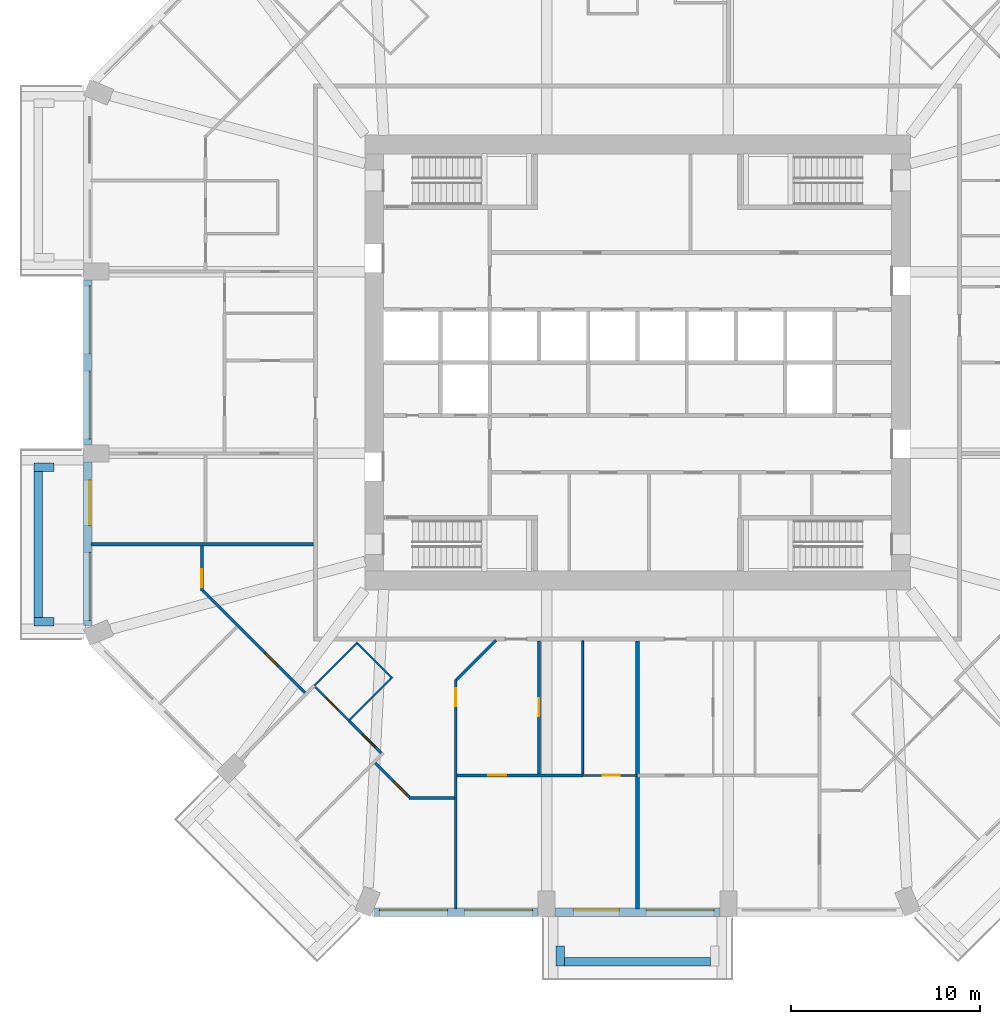
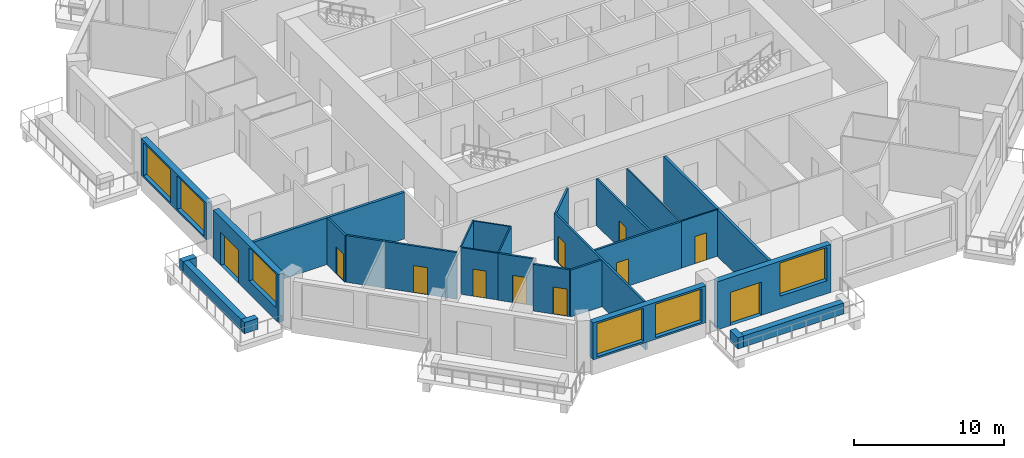
# One storey, part 3 of 13: 26 walls, 11 doors, 6 windows, 17 openings.
"""IFC4 building model written with IfcOpenShell, lengths in metres."""

from ifc_helpers import new_model, si_unit, direction, frame, frame_2d, origin, place, context, subcontext, project, spatial, rectangle, extrude, material, layer, layer_set, type_object, element, fill, save


model = new_model("IFC4")

# Units and contexts
model_context = context("Model", 3, precision=1e-05, world=origin(), true_north=direction((0.0, 1.0)))
body_context = subcontext(model_context, "Body", "Model", "MODEL_VIEW")
ifc_project = project(units=[si_unit("LENGTHUNIT", "METRE"), si_unit("AREAUNIT", "SQUARE_METRE"), si_unit("VOLUMEUNIT", "CUBIC_METRE"), si_unit("PLANEANGLEUNIT", "RADIAN"), si_unit("MASSUNIT", "GRAM", prefix="KILO")], contexts=[model_context])

# Site, building, storey
site_placement = place(None, origin())
site = spatial("IfcSite", under=ifc_project, at=site_placement, CompositionType="ELEMENT")
building_placement = place(site_placement, origin())
building = spatial("IfcBuilding", under=site, at=building_placement, Name="Msitu Wima Residences", CompositionType="ELEMENT")
storey_placement = place(building_placement, frame((0.0, 0.0, 96.89990234375)))
storey = spatial("IfcBuildingStorey", under=building, at=storey_placement, Name="L22", CompositionType="ELEMENT", Elevation=96.89990234375)

# Walls
ifc_material_1 = material(Name="Facing brick")
ifc_layer_1 = layer(ifc_material_1, 0.06494140625, Name="Facing brick")
ifc_material_2 = material(Name="Concrete C40/50", Category="concrete")
ifc_layer_2 = layer(ifc_material_2, 0.156005859375, Name="Concrete C40/50")
ifc_material_3 = material(Name="Waterproofing membrane")
ifc_layer_3 = layer(ifc_material_3, 0.00390625, Name="Waterproofing membrane")
ifc_material_4 = material(Name="Planting soil and planting")
ifc_layer_4 = layer(ifc_material_4, 0.22509765625, Name="Planting soil and planting")
ifc_layer_set_1 = layer_set([ifc_layer_1, ifc_layer_2, ifc_layer_3, ifc_layer_4], Name="Concrete C40/50")
wall_type_1 = type_object("IfcWallType", Name="Balcony planter PLANTER PL450", PredefinedType="USERDEFINED", material=ifc_layer_set_1)
wall_1_placement = place(storey_placement, frame((-31.625, -5.75, 0.0), z_axis=(0.0, 0.0, 1.0), x_axis=(0.0, -1.0, 0.0)))
element("IfcWall", 1, at=wall_1_placement, inside=storey, type_object=wall_type_1, Name="Balcony planter W2 L22", ObjectType="PLANTER", PredefinedType="USERDEFINED", context=body_context, shape_type="SweptSolid", body=[
    extrude(rectangle(XDim=7.699951171875, YDim=0.449951171875, at=frame_2d((3.85009765625, 0.0))), origin(), (0.0, 0.0, 1.0), 0.900146484375),
])
for number, where, z_axis, x_axis, name in (
    (2, (-30.800048828125, -5.52490234375, 0.0), (0.0, 0.0, 1.0), (-1.0, 0.0, 0.0), "Balcony planter W2 L22"),
    (3, (-30.800048828125, -13.675048828125, 0.0), (0.0, 0.0, 1.0), (-1.0, 0.0, 0.0), "Balcony planter W2 L22"),
):
    element("IfcWall", number, at=place(storey_placement, frame(where, z_axis=z_axis, x_axis=x_axis)), inside=storey, type_object=wall_type_1, Name=name, ObjectType="PLANTER", PredefinedType="USERDEFINED", context=body_context, shape_type="SweptSolid", body=[
        extrude(rectangle(XDim=1.050048828125, YDim=0.449951171875, at=frame_2d((0.52490234375, 0.0))), origin(), (0.0, 0.0, 1.0), 0.900146484375),
    ])
wall_2_placement = place(storey_placement, frame((-3.85009765625, -31.625, 0.0), z_axis=(0.0, 0.0, 1.0), x_axis=(1.0, 0.0, 0.0)))
element("IfcWall", 4, at=wall_2_placement, inside=storey, type_object=wall_type_1, Name="Balcony planter S1 L22", ObjectType="PLANTER", PredefinedType="USERDEFINED", context=body_context, shape_type="SweptSolid", body=[
    extrude(rectangle(XDim=7.7001953125, YDim=0.449951171875, at=frame_2d((3.85009765625, 0.0))), origin(), (0.0, 0.0, 1.0), 0.900146484375),
])
wall_3_placement = place(storey_placement, frame((-4.074951171875, -30.800048828125, 0.0), z_axis=(0.0, 0.0, 1.0), x_axis=(0.0, -1.0, 0.0)))
element("IfcWall", 5, at=wall_3_placement, inside=storey, type_object=wall_type_1, Name="Balcony planter S1 L22", ObjectType="PLANTER", PredefinedType="USERDEFINED", context=body_context, shape_type="SweptSolid", body=[
    extrude(rectangle(XDim=1.050048828125, YDim=0.449951171875, at=frame_2d((0.52490234375, 0.0))), origin(), (0.0, 0.0, 1.0), 0.900146484375),
])

# Wall, openings, windows
ifc_material_5 = material(Name="Brick (red buff mix)", Category="masonry")
ifc_layer_5 = layer(ifc_material_5, 0.449951171875)
ifc_layer_set_2 = layer_set([ifc_layer_5], Name="Brick (red buff mix)")
wall_type_2 = type_object("IfcWallType", Name="Brick infill wall BW450", PredefinedType="SOLIDWALL", material=ifc_layer_set_2)
wall_4_placement = place(storey_placement, frame((-29.02490234375, 4.35009765625, 0.900146484375), z_axis=(0.0, 0.0, 1.0), x_axis=(0.0, -1.0, 0.0)))
wall_4 = element("IfcWall", 6, at=wall_4_placement, inside=storey, type_object=wall_type_2, Name="Brick infill wall L22 W1", PredefinedType="SOLIDWALL", context=body_context, shape_type="SweptSolid", body=[
    extrude(rectangle(XDim=8.7001953125, YDim=0.449951171875, at=frame_2d((4.35009765625, 0.0))), origin(), (0.0, 0.0, 1.0), 3.0),
])
opening_1_placement = place(wall_4_placement, frame((0.300048828125, 0.0, 0.14990234375)))
opening_1 = element("IfcOpeningElement", 7, at=opening_1_placement, cuts=wall_4, Name="Opening W22.028", PredefinedType="OPENING", context=body_context, shape_type="SweptSolid", body=[
    extrude(rectangle(XDim=3.60009765625, YDim=2.699951171875, at=frame_2d((1.800048828125, 1.35009765625))), frame((0.0, 0.23486328125, 0.0), z_axis=(0.0, -1.0, 0.0), x_axis=(1.0, 0.0, 0.0)), (0.0, 0.0, 1.0), 0.469970703125),
])
opening_2_placement = place(wall_4_placement, frame((4.800048828125, 0.0, 0.14990234375)))
opening_2 = element("IfcOpeningElement", 8, at=opening_2_placement, cuts=wall_4, Name="Opening W22.029", PredefinedType="OPENING", context=body_context, shape_type="SweptSolid", body=[
    extrude(rectangle(XDim=3.60009765625, YDim=2.699951171875, at=frame_2d((1.800048828125, 1.35009765625))), frame((0.0, 0.23486328125, 0.0), z_axis=(0.0, -1.0, 0.0), x_axis=(1.0, 0.0, 0.0)), (0.0, 0.0, 1.0), 0.469970703125),
])
ifc_material_6 = material(Name="Anodised aluminium, bronze finish, clear low-emissivity double glazing", Category="aluminium")
window_type = type_object("IfcWindowType", Name="Window W3600x2700", PartitioningType="DOUBLE_PANEL_VERTICAL", PredefinedType="WINDOW", material=ifc_material_6)
window_1_placement = place(opening_1_placement, origin())
window_1 = element("IfcWindow", 9, at=window_1_placement, inside=storey, type_object=window_type, Name="Window L22 W1.1", OverallHeight=2.699951171875, OverallWidth=3.60009765625, PartitioningType="SINGLE_PANEL", PredefinedType="WINDOW", context=body_context, shape_type="SweptSolid", body=[
    extrude(rectangle(XDim=3.60009765625, YDim=2.699951171875, at=frame_2d((1.800048828125, 1.35009765625))), frame((0.0, 0.135009765625, 0.0), z_axis=(0.0, -1.0, 0.0), x_axis=(1.0, 0.0, 0.0)), (0.0, 0.0, 1.0), 0.06005859375),
])
fill(opening_1, window_1)
window_2_placement = place(opening_2_placement, origin())
window_2 = element("IfcWindow", 10, at=window_2_placement, inside=storey, type_object=window_type, Name="Window L22 W1.2", OverallHeight=2.699951171875, OverallWidth=3.60009765625, PartitioningType="SINGLE_PANEL", PredefinedType="WINDOW", context=body_context, shape_type="SweptSolid", body=[
    extrude(rectangle(XDim=3.60009765625, YDim=2.699951171875, at=frame_2d((1.800048828125, 1.35009765625))), frame((0.0, 0.135009765625, 0.0), z_axis=(0.0, -1.0, 0.0), x_axis=(1.0, 0.0, 0.0)), (0.0, 0.0, 1.0), 0.06005859375),
])
fill(opening_2, window_2)

# Wall, openings, door, window
wall_5_placement = place(storey_placement, frame((-29.02490234375, -5.25, 0.0), z_axis=(0.0, 0.0, 1.0), x_axis=(0.0, -1.0, 0.0)))
wall_5 = element("IfcWall", 11, at=wall_5_placement, inside=storey, type_object=wall_type_2, Name="Brick infill wall L22 W2", PredefinedType="SOLIDWALL", context=body_context, shape_type="SweptSolid", body=[
    extrude(rectangle(XDim=8.662841796875, YDim=0.449951171875, at=frame_2d((4.33154296875, 0.0))), origin(), (0.0, 0.0, 1.0), 3.900146484375),
])
opening_3_placement = place(wall_5_placement, frame((0.9658203125, 0.0, 0.0)))
opening_3 = element("IfcOpeningElement", 12, at=opening_3_placement, cuts=wall_5, Name="Opening D22.010", PredefinedType="OPENING", context=body_context, shape_type="SweptSolid", body=[
    extrude(rectangle(XDim=2.39990234375, YDim=2.699951171875, at=frame_2d((1.199951171875, 1.35009765625))), frame((0.0, 0.23486328125, 0.0), z_axis=(0.0, -1.0, 0.0), x_axis=(1.0, 0.0, 0.0)), (0.0, 0.0, 1.0), 0.469970703125),
])
opening_4_placement = place(wall_5_placement, frame((4.781494140625, 0.0, 1.050048828125)))
opening_4 = element("IfcOpeningElement", 13, at=opening_4_placement, cuts=wall_5, Name="Opening W22.030", PredefinedType="OPENING", context=body_context, shape_type="SweptSolid", body=[
    extrude(rectangle(XDim=3.60009765625, YDim=2.699951171875, at=frame_2d((1.800048828125, 1.35009765625))), frame((0.0, 0.23486328125, 0.0), z_axis=(0.0, -1.0, 0.0), x_axis=(1.0, 0.0, 0.0)), (0.0, 0.0, 1.0), 0.469970703125),
])
door_type_1 = type_object("IfcDoorType", Name="Balcony door D2400x2700", OperationType="SLIDING_TO_LEFT", PredefinedType="DOOR", material=ifc_material_6)
door_1_placement = place(opening_3_placement, origin())
door_1 = element("IfcDoor", 14, at=door_1_placement, inside=storey, type_object=door_type_1, Name="Balcony door L22 W2", OperationType="SINGLE_SWING_LEFT", OverallHeight=2.699951171875, OverallWidth=2.39990234375, PredefinedType="DOOR", context=body_context, shape_type="SweptSolid", body=[
    extrude(rectangle(XDim=2.39990234375, YDim=2.699951171875, at=frame_2d((1.199951171875, 1.35009765625))), frame((0.0, 0.1298828125, 0.0), z_axis=(0.0, -1.0, 0.0), x_axis=(1.0, 0.0, 0.0)), (0.0, 0.0, 1.0), 0.050048828125),
])
fill(opening_3, door_1)
window_3_placement = place(opening_4_placement, origin())
window_3 = element("IfcWindow", 15, at=window_3_placement, inside=storey, type_object=window_type, Name="Window L22 W2.2", OverallHeight=2.699951171875, OverallWidth=3.60009765625, PartitioningType="SINGLE_PANEL", PredefinedType="WINDOW", context=body_context, shape_type="SweptSolid", body=[
    extrude(rectangle(XDim=3.60009765625, YDim=2.699951171875, at=frame_2d((1.800048828125, 1.35009765625))), frame((0.0, 0.135009765625, 0.0), z_axis=(0.0, -1.0, 0.0), x_axis=(1.0, 0.0, 0.0)), (0.0, 0.0, 1.0), 0.06005859375),
])
fill(opening_4, window_3)

# Wall, openings, windows
wall_6_placement = place(storey_placement, frame((-13.912841796875, -29.02490234375, 0.900146484375), z_axis=(0.0, 0.0, 1.0), x_axis=(1.0, 0.0, 0.0)))
wall_6 = element("IfcWall", 16, at=wall_6_placement, inside=storey, type_object=wall_type_2, Name="Brick infill wall L22 S0", PredefinedType="SOLIDWALL", context=body_context, shape_type="SweptSolid", body=[
    extrude(rectangle(XDim=8.662841796875, YDim=0.449951171875, at=frame_2d((4.33154296875, 0.0))), origin(), (0.0, 0.0, 1.0), 3.0),
])
opening_5_placement = place(wall_6_placement, frame((0.281494140625, 0.0, 0.14990234375)))
opening_5 = element("IfcOpeningElement", 17, at=opening_5_placement, cuts=wall_6, Name="Opening W22.016", PredefinedType="OPENING", context=body_context, shape_type="SweptSolid", body=[
    extrude(rectangle(XDim=3.60009765625, YDim=2.699951171875, at=frame_2d((1.800048828125, 1.35009765625))), frame((0.0, 0.23486328125, 0.0), z_axis=(0.0, -1.0, 0.0), x_axis=(1.0, 0.0, 0.0)), (0.0, 0.0, 1.0), 0.469970703125),
])
opening_6_placement = place(wall_6_placement, frame((4.781494140625, 0.0, 0.14990234375)))
opening_6 = element("IfcOpeningElement", 18, at=opening_6_placement, cuts=wall_6, Name="Opening W22.017", PredefinedType="OPENING", context=body_context, shape_type="SweptSolid", body=[
    extrude(rectangle(XDim=3.60009765625, YDim=2.699951171875, at=frame_2d((1.800048828125, 1.35009765625))), frame((0.0, 0.23486328125, 0.0), z_axis=(0.0, -1.0, 0.0), x_axis=(1.0, 0.0, 0.0)), (0.0, 0.0, 1.0), 0.469970703125),
])
window_4_placement = place(opening_5_placement, origin())
window_4 = element("IfcWindow", 19, at=window_4_placement, inside=storey, type_object=window_type, Name="Window L22 S0.1", OverallHeight=2.699951171875, OverallWidth=3.60009765625, PartitioningType="SINGLE_PANEL", PredefinedType="WINDOW", context=body_context, shape_type="SweptSolid", body=[
    extrude(rectangle(XDim=3.60009765625, YDim=2.699951171875, at=frame_2d((1.800048828125, 1.35009765625))), frame((0.0, 0.135009765625, 0.0), z_axis=(0.0, -1.0, 0.0), x_axis=(1.0, 0.0, 0.0)), (0.0, 0.0, 1.0), 0.06005859375),
])
fill(opening_5, window_4)
window_5_placement = place(opening_6_placement, origin())
window_5 = element("IfcWindow", 20, at=window_5_placement, inside=storey, type_object=window_type, Name="Window L22 S0.2", OverallHeight=2.699951171875, OverallWidth=3.60009765625, PartitioningType="SINGLE_PANEL", PredefinedType="WINDOW", context=body_context, shape_type="SweptSolid", body=[
    extrude(rectangle(XDim=3.60009765625, YDim=2.699951171875, at=frame_2d((1.800048828125, 1.35009765625))), frame((0.0, 0.135009765625, 0.0), z_axis=(0.0, -1.0, 0.0), x_axis=(1.0, 0.0, 0.0)), (0.0, 0.0, 1.0), 0.06005859375),
])
fill(opening_6, window_5)

# Wall, openings, door, window
wall_7_placement = place(storey_placement, frame((-4.35009765625, -29.02490234375, 0.0), z_axis=(0.0, 0.0, 1.0), x_axis=(1.0, 0.0, 0.0)))
wall_7 = element("IfcWall", 21, at=wall_7_placement, inside=storey, type_object=wall_type_2, Name="Brick infill wall L22 S1", PredefinedType="SOLIDWALL", context=body_context, shape_type="SweptSolid", body=[
    extrude(rectangle(XDim=8.7001953125, YDim=0.449951171875, at=frame_2d((4.35009765625, 0.0))), origin(), (0.0, 0.0, 1.0), 3.900146484375),
])
opening_7_placement = place(wall_7_placement, frame((0.97509765625, 0.0, 0.0)))
opening_7 = element("IfcOpeningElement", 22, at=opening_7_placement, cuts=wall_7, Name="Opening D22.006", PredefinedType="OPENING", context=body_context, shape_type="SweptSolid", body=[
    extrude(rectangle(XDim=2.39990234375, YDim=2.699951171875, at=frame_2d((1.199951171875, 1.35009765625))), frame((0.0, 0.23486328125, 0.0), z_axis=(0.0, -1.0, 0.0), x_axis=(1.0, 0.0, 0.0)), (0.0, 0.0, 1.0), 0.469970703125),
])
opening_8_placement = place(wall_7_placement, frame((4.800048828125, 0.0, 1.050048828125)))
opening_8 = element("IfcOpeningElement", 23, at=opening_8_placement, cuts=wall_7, Name="Opening W22.018", PredefinedType="OPENING", context=body_context, shape_type="SweptSolid", body=[
    extrude(rectangle(XDim=3.60009765625, YDim=2.699951171875, at=frame_2d((1.800048828125, 1.35009765625))), frame((0.0, 0.23486328125, 0.0), z_axis=(0.0, -1.0, 0.0), x_axis=(1.0, 0.0, 0.0)), (0.0, 0.0, 1.0), 0.469970703125),
])
door_2_placement = place(opening_7_placement, origin())
door_2 = element("IfcDoor", 24, at=door_2_placement, inside=storey, type_object=door_type_1, Name="Balcony door L22 S1", OperationType="SINGLE_SWING_LEFT", OverallHeight=2.699951171875, OverallWidth=2.39990234375, PredefinedType="DOOR", context=body_context, shape_type="SweptSolid", body=[
    extrude(rectangle(XDim=2.39990234375, YDim=2.699951171875, at=frame_2d((1.199951171875, 1.35009765625))), frame((0.0, 0.1298828125, 0.0), z_axis=(0.0, -1.0, 0.0), x_axis=(1.0, 0.0, 0.0)), (0.0, 0.0, 1.0), 0.050048828125),
])
fill(opening_7, door_2)
window_6_placement = place(opening_8_placement, origin())
window_6 = element("IfcWindow", 25, at=window_6_placement, inside=storey, type_object=window_type, Name="Window L22 S1.2", OverallHeight=2.699951171875, OverallWidth=3.60009765625, PartitioningType="SINGLE_PANEL", PredefinedType="WINDOW", context=body_context, shape_type="SweptSolid", body=[
    extrude(rectangle(XDim=3.60009765625, YDim=2.699951171875, at=frame_2d((1.800048828125, 1.35009765625))), frame((0.0, 0.135009765625, 0.0), z_axis=(0.0, -1.0, 0.0), x_axis=(1.0, 0.0, 0.0)), (0.0, 0.0, 1.0), 0.06005859375),
])
fill(opening_8, window_6)

# Wall, opening, door
ifc_material_7 = material(Name="Plaster")
ifc_layer_6 = layer(ifc_material_7, 0.011962890625, Name="Plaster")
ifc_material_8 = material(Name="Concrete blockwork", Category="masonry")
ifc_layer_7 = layer(ifc_material_8, 0.1259765625, Name="Concrete blockwork")
ifc_layer_8 = layer(ifc_material_7, 0.011962890625, Name="Plaster")
ifc_layer_set_3 = layer_set([ifc_layer_6, ifc_layer_7, ifc_layer_8], Name="Concrete blockwork")
wall_type_3 = type_object("IfcWallType", Name="Partition PW150", PredefinedType="PARTITIONING", material=ifc_layer_set_3)
wall_8_placement = place(storey_placement, frame((-23.0, -12.072509765625, 0.0), z_axis=(0.0, 0.0, 1.0), x_axis=(0.0, 1.0, 0.0)))
wall_8 = element("IfcWall", 26, at=wall_8_placement, inside=storey, type_object=wall_type_3, Name="Partition", PredefinedType="PARTITIONING", context=body_context, shape_type="SweptSolid", body=[
    extrude(rectangle(XDim=2.37255859375, YDim=0.14990234375, at=frame_2d((1.186279296875, 0.0))), origin(), (0.0, 0.0, 1.0), 3.798095703125),
])
opening_9_placement = place(wall_8_placement, frame((0.199951171875, 0.0, 0.0)))
opening_9 = element("IfcOpeningElement", 27, at=opening_9_placement, cuts=wall_8, Name="Opening D22.071", PredefinedType="OPENING", context=body_context, shape_type="SweptSolid", body=[
    extrude(rectangle(XDim=0.949951171875, YDim=2.199951171875, at=frame_2d((0.47509765625, 1.10009765625))), frame((0.0, 0.0849609375, 0.0), z_axis=(0.0, -1.0, 0.0), x_axis=(1.0, 0.0, 0.0)), (0.0, 0.0, 1.0), 0.169921875),
])
ifc_material_9 = material(Name="Timber flush door", Category="wood")
door_type_2 = type_object("IfcDoorType", Name="Room door D12 950x2200", OperationType="SINGLE_SWING_LEFT", PredefinedType="DOOR", material=ifc_material_9)
door_3_placement = place(opening_9_placement, origin())
door_3 = element("IfcDoor", 28, at=door_3_placement, inside=storey, type_object=door_type_2, Name="Room door", OperationType="SINGLE_SWING_RIGHT", OverallHeight=2.199951171875, OverallWidth=0.949951171875, PredefinedType="DOOR", context=body_context, shape_type="SweptSolid", body=[
    extrude(rectangle(XDim=0.949951171875, YDim=2.199951171875, at=frame_2d((0.47509765625, 1.10009765625))), frame((0.0, 0.02490234375, 0.0), z_axis=(0.0, -1.0, 0.0), x_axis=(1.0, 0.0, 0.0)), (0.0, 0.0, 1.0), 0.050048828125),
])
fill(opening_9, door_3)

wall_9_placement = place(storey_placement, frame((-22.947021484375, -12.050537109375, 0.0), z_axis=(0.0, 0.0, 1.0), x_axis=(0.707106781187, -0.707106781187, 0.0)))
wall_9 = element("IfcWall", 29, at=wall_9_placement, inside=storey, type_object=wall_type_3, Name="Partition", PredefinedType="PARTITIONING", context=body_context, shape_type="SweptSolid", body=[
    extrude(rectangle(XDim=7.630126953125, YDim=0.14990234375, at=frame_2d((3.81494140625, 0.0))), origin(), (0.0, 0.0, 1.0), 3.798095703125),
])
opening_10_placement = place(wall_9_placement, frame((4.64990234375, 0.0, 0.0)))
opening_10 = element("IfcOpeningElement", 30, at=opening_10_placement, cuts=wall_9, Name="Opening D22.066", PredefinedType="OPENING", context=body_context, shape_type="SweptSolid", body=[
    extrude(rectangle(XDim=0.949951171875, YDim=2.199951171875, at=frame_2d((0.47509765625, 1.10009765625))), frame((0.0, 0.0849609375, 0.0), z_axis=(0.0, -1.0, 0.0), x_axis=(1.0, 0.0, 0.0)), (0.0, 0.0, 1.0), 0.169921875),
])
door_4_placement = place(opening_10_placement, origin())
door_4 = element("IfcDoor", 31, at=door_4_placement, inside=storey, type_object=door_type_2, Name="Room door", OperationType="SINGLE_SWING_RIGHT", OverallHeight=2.199951171875, OverallWidth=0.949951171875, PredefinedType="DOOR", context=body_context, shape_type="SweptSolid", body=[
    extrude(rectangle(XDim=0.949951171875, YDim=2.199951171875, at=frame_2d((0.47509765625, 1.10009765625))), frame((0.0, 0.02490234375, 0.0), z_axis=(0.0, -1.0, 0.0), x_axis=(1.0, 0.0, 0.0)), (0.0, 0.0, 1.0), 0.050048828125),
])
fill(opening_10, door_4)

wall_10_placement = place(storey_placement, frame((-15.221923828125, -18.92724609375, 0.0), z_axis=(0.0, 0.0, 1.0), x_axis=(0.707106781187, -0.707106781187, 0.0)))
wall_10 = element("IfcWall", 32, at=wall_10_placement, inside=storey, type_object=wall_type_3, Name="Partition", PredefinedType="PARTITIONING", context=body_context, shape_type="SweptSolid", body=[
    extrude(rectangle(XDim=2.396240234375, YDim=0.14990234375, at=frame_2d((1.1982421875, 0.0))), origin(), (0.0, 0.0, 1.0), 3.798095703125),
])
opening_11_placement = place(wall_10_placement, frame((1.0, 0.0, 0.0)))
opening_11 = element("IfcOpeningElement", 33, at=opening_11_placement, cuts=wall_10, Name="Opening D22.069", PredefinedType="OPENING", context=body_context, shape_type="SweptSolid", body=[
    extrude(rectangle(XDim=0.949951171875, YDim=2.199951171875, at=frame_2d((0.47509765625, 1.10009765625))), frame((0.0, 0.0849609375, 0.0), z_axis=(0.0, -1.0, 0.0), x_axis=(1.0, 0.0, 0.0)), (0.0, 0.0, 1.0), 0.169921875),
])
door_5_placement = place(opening_11_placement, origin())
door_5 = element("IfcDoor", 34, at=door_5_placement, inside=storey, type_object=door_type_2, Name="Room door", OperationType="SINGLE_SWING_LEFT", OverallHeight=2.199951171875, OverallWidth=0.949951171875, PredefinedType="DOOR", context=body_context, shape_type="SweptSolid", body=[
    extrude(rectangle(XDim=0.949951171875, YDim=2.199951171875, at=frame_2d((0.47509765625, 1.10009765625))), frame((0.0, 0.02490234375, 0.0), z_axis=(0.0, -1.0, 0.0), x_axis=(1.0, 0.0, 0.0)), (0.0, 0.0, 1.0), 0.050048828125),
])
fill(opening_11, door_5)

wall_11_placement = place(storey_placement, frame((-13.845703125, -21.15185546875, 0.0), z_axis=(0.0, 0.0, 1.0), x_axis=(0.707106781187, -0.707106781187, 0.0)))
wall_11 = element("IfcWall", 35, at=wall_11_placement, inside=storey, type_object=wall_type_3, Name="Partition", PredefinedType="PARTITIONING", context=body_context, shape_type="SweptSolid", body=[
    extrude(rectangle(XDim=2.538818359375, YDim=0.14990234375, at=frame_2d((1.26953125, 0.0))), origin(), (0.0, 0.0, 1.0), 3.798095703125),
])
opening_12_placement = place(wall_11_placement, frame((1.39990234375, 0.0, 0.0)))
opening_12 = element("IfcOpeningElement", 36, at=opening_12_placement, cuts=wall_11, Name="Opening D22.072", PredefinedType="OPENING", context=body_context, shape_type="SweptSolid", body=[
    extrude(rectangle(XDim=0.949951171875, YDim=2.199951171875, at=frame_2d((0.47509765625, 1.10009765625))), frame((0.0, 0.0849609375, 0.0), z_axis=(0.0, -1.0, 0.0), x_axis=(1.0, 0.0, 0.0)), (0.0, 0.0, 1.0), 0.169921875),
])
door_6_placement = place(opening_12_placement, origin())
door_6 = element("IfcDoor", 37, at=door_6_placement, inside=storey, type_object=door_type_2, Name="Room door", OperationType="SINGLE_SWING_RIGHT", OverallHeight=2.199951171875, OverallWidth=0.949951171875, PredefinedType="DOOR", context=body_context, shape_type="SweptSolid", body=[
    extrude(rectangle(XDim=0.949951171875, YDim=2.199951171875, at=frame_2d((0.47509765625, 1.10009765625))), frame((0.0, 0.02490234375, 0.0), z_axis=(0.0, -1.0, 0.0), x_axis=(1.0, 0.0, 0.0)), (0.0, 0.0, 1.0), 0.050048828125),
])
fill(opening_12, door_6)

# Wall
wall_12_placement = place(storey_placement, frame((-12.072509765625, -23.0, 0.0), z_axis=(0.0, 0.0, 1.0), x_axis=(1.0, 0.0, 0.0)))
element("IfcWall", 38, at=wall_12_placement, inside=storey, type_object=wall_type_3, Name="Partition", PredefinedType="PARTITIONING", context=body_context, shape_type="SweptSolid", body=[
    extrude(rectangle(XDim=2.3974609375, YDim=0.14990234375, at=frame_2d((1.19873046875, 0.0))), origin(), (0.0, 0.0, 1.0), 3.798095703125),
])

# Wall, opening, door
wall_13_placement = place(storey_placement, frame((-9.60009765625, -28.85498046875, 0.0), z_axis=(0.0, 0.0, 1.0), x_axis=(0.0, 1.0, 0.0)))
wall_13 = element("IfcWall", 39, at=wall_13_placement, inside=storey, type_object=wall_type_3, Name="Partition", PredefinedType="PARTITIONING", context=body_context, shape_type="SweptSolid", body=[
    extrude(rectangle(XDim=12.1298828125, YDim=0.14990234375, at=frame_2d((6.06494140625, 0.0))), origin(), (0.0, 0.0, 1.0), 3.798095703125),
])
opening_13_placement = place(wall_13_placement, frame((10.699951171875, 0.0, 0.0)))
opening_13 = element("IfcOpeningElement", 40, at=opening_13_placement, cuts=wall_13, Name="Opening D22.065", PredefinedType="OPENING", context=body_context, shape_type="SweptSolid", body=[
    extrude(rectangle(XDim=0.949951171875, YDim=2.199951171875, at=frame_2d((0.47509765625, 1.10009765625))), frame((0.0, 0.0849609375, 0.0), z_axis=(0.0, -1.0, 0.0), x_axis=(1.0, 0.0, 0.0)), (0.0, 0.0, 1.0), 0.169921875),
])
door_7_placement = place(opening_13_placement, origin())
door_7 = element("IfcDoor", 41, at=door_7_placement, inside=storey, type_object=door_type_2, Name="Room door", OperationType="SINGLE_SWING_RIGHT", OverallHeight=2.199951171875, OverallWidth=0.949951171875, PredefinedType="DOOR", context=body_context, shape_type="SweptSolid", body=[
    extrude(rectangle(XDim=0.949951171875, YDim=2.199951171875, at=frame_2d((0.47509765625, 1.10009765625))), frame((0.0, 0.02490234375, 0.0), z_axis=(0.0, -1.0, 0.0), x_axis=(1.0, 0.0, 0.0)), (0.0, 0.0, 1.0), 0.050048828125),
])
fill(opening_13, door_7)

wall_14_placement = place(storey_placement, frame((-9.52490234375, -21.800048828125, 0.0), z_axis=(0.0, 0.0, 1.0), x_axis=(1.0, 0.0, 0.0)))
wall_14 = element("IfcWall", 42, at=wall_14_placement, inside=storey, type_object=wall_type_3, Name="Partition", PredefinedType="PARTITIONING", context=body_context, shape_type="SweptSolid", body=[
    extrude(rectangle(XDim=6.64501953125, YDim=0.14990234375, at=frame_2d((3.322509765625, 0.0))), origin(), (0.0, 0.0, 1.0), 3.798095703125),
])
opening_14_placement = place(wall_14_placement, frame((1.64990234375, 0.0, 0.0)))
opening_14 = element("IfcOpeningElement", 43, at=opening_14_placement, cuts=wall_14, Name="Opening D22.067", PredefinedType="OPENING", context=body_context, shape_type="SweptSolid", body=[
    extrude(rectangle(XDim=0.949951171875, YDim=2.199951171875, at=frame_2d((0.47509765625, 1.10009765625))), frame((0.0, 0.0849609375, 0.0), z_axis=(0.0, -1.0, 0.0), x_axis=(1.0, 0.0, 0.0)), (0.0, 0.0, 1.0), 0.169921875),
])
door_8_placement = place(opening_14_placement, origin())
door_8 = element("IfcDoor", 44, at=door_8_placement, inside=storey, type_object=door_type_2, Name="Room door", OperationType="SINGLE_SWING_RIGHT", OverallHeight=2.199951171875, OverallWidth=0.949951171875, PredefinedType="DOOR", context=body_context, shape_type="SweptSolid", body=[
    extrude(rectangle(XDim=0.949951171875, YDim=2.199951171875, at=frame_2d((0.47509765625, 1.10009765625))), frame((0.0, 0.02490234375, 0.0), z_axis=(0.0, -1.0, 0.0), x_axis=(1.0, 0.0, 0.0)), (0.0, 0.0, 1.0), 0.050048828125),
])
fill(opening_14, door_8)

# Wall
wall_15_placement = place(storey_placement, frame((-9.546875, -16.7470703125, 0.0), z_axis=(0.0, 0.0, 1.0), x_axis=(0.707065207457, 0.707148352472, 0.0)))
element("IfcWall", 45, at=wall_15_placement, inside=storey, type_object=wall_type_3, Name="Partition", PredefinedType="PARTITIONING", context=body_context, shape_type="SweptSolid", body=[
    extrude(rectangle(XDim=2.936279296875, YDim=0.14990234375, at=frame_2d((1.46826171875, 0.0))), origin(), (0.0, 0.0, 1.0), 3.798095703125),
])

# Wall, opening, door
wall_16_placement = place(storey_placement, frame((-5.199951171875, -21.72509765625, 0.0), z_axis=(0.0, 0.0, 1.0), x_axis=(0.0, 1.0, 0.0)))
wall_16 = element("IfcWall", 46, at=wall_16_placement, inside=storey, type_object=wall_type_3, Name="Partition", PredefinedType="PARTITIONING", context=body_context, shape_type="SweptSolid", body=[
    extrude(rectangle(XDim=7.025146484375, YDim=0.14990234375, at=frame_2d((3.5126953125, 0.0))), origin(), (0.0, 0.0, 1.0), 3.798095703125),
])
opening_15_placement = place(wall_16_placement, frame((3.050048828125, 0.0, 0.0)))
opening_15 = element("IfcOpeningElement", 47, at=opening_15_placement, cuts=wall_16, Name="Opening D22.068", PredefinedType="OPENING", context=body_context, shape_type="SweptSolid", body=[
    extrude(rectangle(XDim=0.949951171875, YDim=2.199951171875, at=frame_2d((0.47509765625, 1.10009765625))), frame((0.0, 0.0849609375, 0.0), z_axis=(0.0, -1.0, 0.0), x_axis=(1.0, 0.0, 0.0)), (0.0, 0.0, 1.0), 0.169921875),
])
door_9_placement = place(opening_15_placement, origin())
door_9 = element("IfcDoor", 48, at=door_9_placement, inside=storey, type_object=door_type_2, Name="Room door", OperationType="SINGLE_SWING_LEFT", OverallHeight=2.199951171875, OverallWidth=0.949951171875, PredefinedType="DOOR", context=body_context, shape_type="SweptSolid", body=[
    extrude(rectangle(XDim=0.949951171875, YDim=2.199951171875, at=frame_2d((0.47509765625, 1.10009765625))), frame((0.0, 0.02490234375, 0.0), z_axis=(0.0, -1.0, 0.0), x_axis=(1.0, 0.0, 0.0)), (0.0, 0.0, 1.0), 0.050048828125),
])
fill(opening_15, door_9)

# Walls
ifc_layer_9 = layer(ifc_material_7, 0.011962890625, Name="Plaster")
ifc_material_10 = material(Name="Dense concrete blockwork", Category="masonry")
ifc_layer_10 = layer(ifc_material_10, 0.176025390625, Name="Dense concrete blockwork")
ifc_layer_11 = layer(ifc_material_7, 0.011962890625, Name="Plaster")
ifc_layer_set_4 = layer_set([ifc_layer_9, ifc_layer_10, ifc_layer_11], Name="Dense concrete blockwork")
wall_type_4 = type_object("IfcWallType", Name="Party wall PW200", PredefinedType="PARTITIONING", material=ifc_layer_set_4)
wall_17_placement = place(storey_placement, frame((-28.85498046875, -9.60009765625, 0.0), z_axis=(0.0, 0.0, 1.0), x_axis=(1.0, 0.0, 0.0)))
element("IfcWall", 49, at=wall_17_placement, inside=storey, type_object=wall_type_4, Name="Party wall", PredefinedType="PARTITIONING", context=body_context, shape_type="SweptSolid", body=[
    extrude(rectangle(XDim=11.7548828125, YDim=0.199951171875, at=frame_2d((5.87744140625, 0.0))), origin(), (0.0, 0.0, 1.0), 3.798095703125),
])
wall_18_placement = place(storey_placement, frame((0.0, -28.85498046875, 0.0), z_axis=(0.0, 0.0, 1.0), x_axis=(0.0, 1.0, 0.0)))
element("IfcWall", 50, at=wall_18_placement, inside=storey, type_object=wall_type_4, Name="Party wall", PredefinedType="PARTITIONING", context=body_context, shape_type="SweptSolid", body=[
    extrude(rectangle(XDim=14.155029296875, YDim=0.199951171875, at=frame_2d((7.07763671875, 0.0))), origin(), (0.0, 0.0, 1.0), 3.798095703125),
])
ifc_material_11 = material(Name="Ceramic tiles")
ifc_layer_12 = layer(ifc_material_11, 0.008056640625, Name="Ceramic tiles")
ifc_material_12 = material(Name="Moisture-resistant board")
ifc_layer_13 = layer(ifc_material_12, 0.012451171875, Name="Moisture-resistant board")
ifc_material_13 = material(Name="Light-gauge stud framing with mineral wool")
ifc_layer_14 = layer(ifc_material_13, 0.06689453125, Name="Light-gauge stud framing with mineral wool")
ifc_layer_15 = layer(ifc_material_12, 0.012451171875, Name="Moisture-resistant board")
ifc_layer_set_5 = layer_set([ifc_layer_12, ifc_layer_13, ifc_layer_14, ifc_layer_15], Name="Light-gauge stud framing with mineral wool")
wall_type_5 = type_object("IfcWallType", Name="Wet wall PW100", PredefinedType="PARTITIONING", material=ifc_layer_set_5)
wall_19_placement = place(storey_placement, frame((-17.060302734375, -17.060302734375, 0.0), z_axis=(0.0, 0.0, 1.0), x_axis=(0.707106781187, 0.707106781187, 0.0)))
element("IfcWall", 51, at=wall_19_placement, inside=storey, type_object=wall_type_5, Name="Wet wall", PredefinedType="PARTITIONING", context=body_context, shape_type="SweptSolid", body=[
    extrude(rectangle(XDim=3.22998046875, YDim=0.10009765625, at=frame_2d((1.614990234375, 0.0))), origin(), (0.0, 0.0, 1.0), 3.798095703125),
])

# Wall, opening, door
wall_20_placement = place(storey_placement, frame((-17.021484375, -17.12744140625, 0.0), z_axis=(0.0, 0.0, 1.0), x_axis=(0.707058817356, -0.707154741764, 0.0)))
wall_20 = element("IfcWall", 52, at=wall_20_placement, inside=storey, type_object=wall_type_5, Name="Wet wall", PredefinedType="PARTITIONING", context=body_context, shape_type="SweptSolid", body=[
    extrude(rectangle(XDim=2.545166015625, YDim=0.10009765625, at=frame_2d((1.2724609375, 0.0))), origin(), (0.0, 0.0, 1.0), 3.798095703125),
])
opening_16_placement = place(wall_20_placement, frame((0.800048828125, 0.0, 0.0)))
opening_16 = element("IfcOpeningElement", 53, at=opening_16_placement, cuts=wall_20, Name="Opening D22.070", PredefinedType="OPENING", context=body_context, shape_type="SweptSolid", body=[
    extrude(rectangle(XDim=0.89990234375, YDim=2.199951171875, at=frame_2d((0.449951171875, 1.10009765625))), frame((0.0, 0.06005859375, 0.0), z_axis=(0.0, -1.0, 0.0), x_axis=(1.0, 0.0, 0.0)), (0.0, 0.0, 1.0), 0.1201171875),
])
ifc_material_14 = material(Name="Timber flush door, moisture resistant", Category="wood")
door_type_3 = type_object("IfcDoorType", Name="Bathroom door D03 900x2200", OperationType="SINGLE_SWING_LEFT", PredefinedType="DOOR", material=ifc_material_14)
door_10_placement = place(opening_16_placement, origin())
door_10 = element("IfcDoor", 54, at=door_10_placement, inside=storey, type_object=door_type_3, Name="Bathroom door", OperationType="SINGLE_SWING_RIGHT", OverallHeight=2.199951171875, OverallWidth=0.89990234375, PredefinedType="DOOR", context=body_context, shape_type="SweptSolid", body=[
    extrude(rectangle(XDim=0.89990234375, YDim=2.199951171875, at=frame_2d((0.449951171875, 1.10009765625))), frame((0.0, 0.02490234375, 0.0), z_axis=(0.0, -1.0, 0.0), x_axis=(1.0, 0.0, 0.0)), (0.0, 0.0, 1.0), 0.050048828125),
])
fill(opening_16, door_10)

# Walls
wall_21_placement = place(storey_placement, frame((-15.20068359375, -18.877685546875, 0.0), z_axis=(0.0, 0.0, 1.0), x_axis=(0.707106781187, 0.707106781187, 0.0)))
element("IfcWall", 55, at=wall_21_placement, inside=storey, type_object=wall_type_5, Name="Wet wall", PredefinedType="PARTITIONING", context=body_context, shape_type="SweptSolid", body=[
    extrude(rectangle(XDim=3.199951171875, YDim=0.10009765625, at=frame_2d((1.60009765625, 0.0))), origin(), (0.0, 0.0, 1.0), 3.798095703125),
])
wall_22_placement = place(storey_placement, frame((-14.7763671875, -14.84716796875, 0.0), z_axis=(0.0, 0.0, 1.0), x_axis=(0.707106781187, -0.707106781187, 0.0)))
element("IfcWall", 56, at=wall_22_placement, inside=storey, type_object=wall_type_5, Name="Wet wall", PredefinedType="PARTITIONING", context=body_context, shape_type="SweptSolid", body=[
    extrude(rectangle(XDim=2.5, YDim=0.10009765625, at=frame_2d((1.25, 0.0))), origin(), (0.0, 0.0, 1.0), 3.798095703125),
])

# Wall, opening, door
wall_23_placement = place(storey_placement, frame((-2.8798828125, -21.800048828125, 0.0), z_axis=(0.0, 0.0, 1.0), x_axis=(1.0, 0.0, 0.0)))
wall_23 = element("IfcWall", 57, at=wall_23_placement, inside=storey, type_object=wall_type_5, Name="Wet wall", PredefinedType="PARTITIONING", context=body_context, shape_type="SweptSolid", body=[
    extrude(rectangle(XDim=2.8798828125, YDim=0.10009765625, at=frame_2d((1.43994140625, 0.0))), origin(), (0.0, 0.0, 1.0), 3.798095703125),
])
opening_17_placement = place(wall_23_placement, frame((1.050048828125, 0.0, 0.0)))
opening_17 = element("IfcOpeningElement", 58, at=opening_17_placement, cuts=wall_23, Name="Opening D22.074", PredefinedType="OPENING", context=body_context, shape_type="SweptSolid", body=[
    extrude(rectangle(XDim=0.89990234375, YDim=2.199951171875, at=frame_2d((0.449951171875, 1.10009765625))), frame((0.0, 0.06005859375, 0.0), z_axis=(0.0, -1.0, 0.0), x_axis=(1.0, 0.0, 0.0)), (0.0, 0.0, 1.0), 0.1201171875),
])
door_11_placement = place(opening_17_placement, origin())
door_11 = element("IfcDoor", 59, at=door_11_placement, inside=storey, type_object=door_type_3, Name="Bathroom door", OperationType="SINGLE_SWING_RIGHT", OverallHeight=2.199951171875, OverallWidth=0.89990234375, PredefinedType="DOOR", context=body_context, shape_type="SweptSolid", body=[
    extrude(rectangle(XDim=0.89990234375, YDim=2.199951171875, at=frame_2d((0.449951171875, 1.10009765625))), frame((0.0, 0.02490234375, 0.0), z_axis=(0.0, -1.0, 0.0), x_axis=(1.0, 0.0, 0.0)), (0.0, 0.0, 1.0), 0.050048828125),
])
fill(opening_17, door_11)

# Wall
wall_24_placement = place(storey_placement, frame((-2.89990234375, -21.72509765625, 0.0), z_axis=(0.0, 0.0, 1.0), x_axis=(0.0, 1.0, 0.0)))
element("IfcWall", 60, at=wall_24_placement, inside=storey, type_object=wall_type_5, Name="Wet wall", PredefinedType="PARTITIONING", context=body_context, shape_type="SweptSolid", body=[
    extrude(rectangle(XDim=7.025146484375, YDim=0.10009765625, at=frame_2d((3.5126953125, 0.0))), origin(), (0.0, 0.0, 1.0), 3.798095703125),
])

save(model, "model.ifc")
